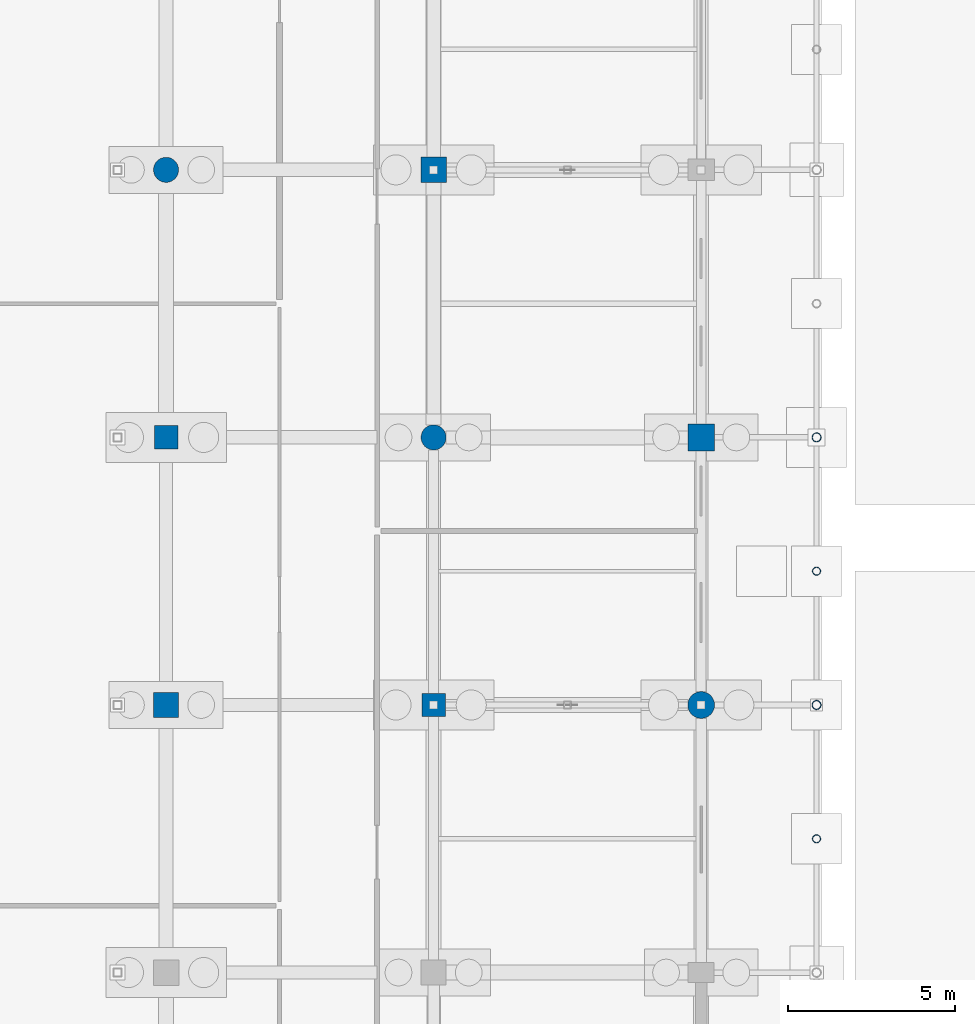
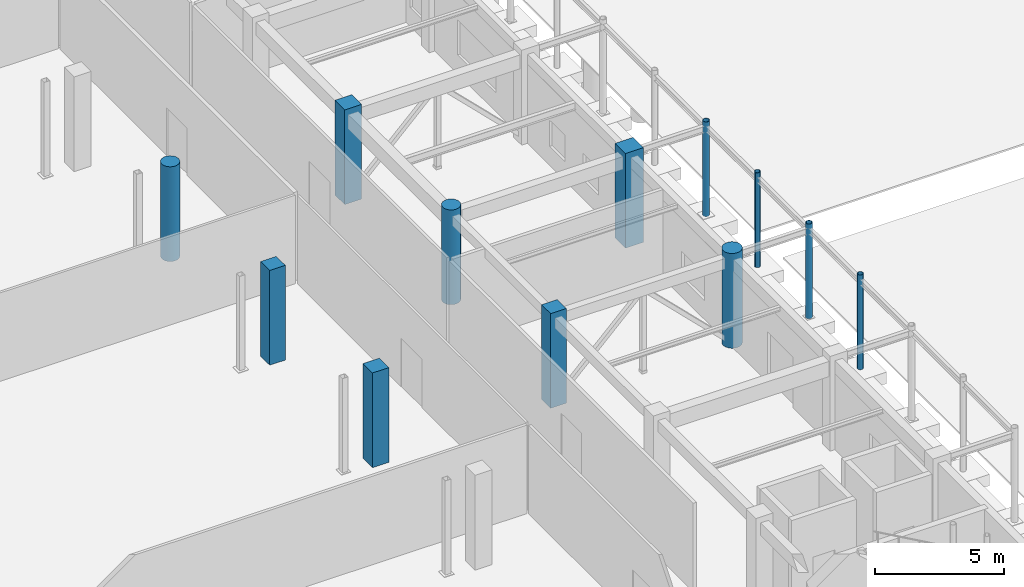
# One storey, part 29 of 166: 12 columns.
"""IFC4 building model written with IfcOpenShell, lengths in metres."""

from ifc_helpers import new_model, si_unit, direction, frame, origin, origin_2d, place, context, subcontext, project, spatial, rectangle, circle, hollow_circle, extrude, material, material_profile, profile_set, type_object, element, save


model = new_model("IFC4")

# Units and contexts
model_context = context("Model", 3, precision=1e-05, world=origin(), true_north=direction((0.0, 1.0)))
body_context = subcontext(model_context, "Body", "Model", "MODEL_VIEW")
ifc_project = project(units=[si_unit("LENGTHUNIT", "METRE"), si_unit("AREAUNIT", "SQUARE_METRE"), si_unit("VOLUMEUNIT", "CUBIC_METRE"), si_unit("PLANEANGLEUNIT", "RADIAN"), si_unit("MASSUNIT", "GRAM", prefix="KILO")], contexts=[model_context])

# Site, building, storey
site_placement = place(None, origin())
site = spatial("IfcSite", under=ifc_project, at=site_placement, CompositionType="ELEMENT")
building_placement = place(site_placement, origin())
building = spatial("IfcBuilding", under=site, at=building_placement, Name="Kharva Crest Polytechnic", CompositionType="ELEMENT")
storey_placement = place(building_placement, origin())
storey = spatial("IfcBuildingStorey", under=building, at=storey_placement, Name="L00", CompositionType="ELEMENT", Elevation=0.0)

# Columns
ifc_material_1 = material(Name="Concrete C40/50", Category="concrete")
ifc_material_profile_1 = material_profile(ifc_material_1, rectangle(XDim=0.800048828125, YDim=0.800048828125, at=origin_2d()), Name="RECT 800 X 800")
ifc_profile_set_1 = profile_set([ifc_material_profile_1], Name="Concrete C40/50")
column_type_1 = type_object("IfcColumnType", Name="COL-EXT-800X800", PredefinedType="COLUMN", material=ifc_profile_set_1)
column_1_placement = place(storey_placement, frame((48.0, 70.800048828125, 0.0), z_axis=(0.0, 0.0, 1.0), x_axis=(1.0, 0.0, 0.0)))
element("IfcColumn", 1, at=column_1_placement, inside=storey, type_object=column_type_1, Name="L00 Column 7/K", PredefinedType="COLUMN", context=body_context, shape_type="SweptSolid", body=[
    extrude(rectangle(XDim=0.800048828125, YDim=0.800048828125, at=origin_2d()), origin(), (0.0, 0.0, 1.0), 4.5),
])
ifc_material_profile_2 = material_profile(ifc_material_1, circle(Radius=0.39990234375, at=origin_2d()), Name="DIA 800")
ifc_profile_set_2 = profile_set([ifc_material_profile_2], Name="Concrete C40/50")
column_type_2 = type_object("IfcColumnType", Name="COL-EXT-DIA800", PredefinedType="COLUMN", material=ifc_profile_set_2)
column_2_placement = place(storey_placement, frame((48.0, 62.800048828125, 0.0), z_axis=(0.0, 0.0, 1.0), x_axis=(1.0, 0.0, 0.0)))
element("IfcColumn", 2, at=column_2_placement, inside=storey, type_object=column_type_2, Name="L00 Column 7/J", PredefinedType="COLUMN", context=body_context, shape_type="SweptSolid", body=[
    extrude(circle(Radius=0.39990234375, at=origin_2d()), origin(), (0.0, 0.0, 1.0), 4.5),
])
ifc_material_profile_3 = material_profile(ifc_material_1, rectangle(XDim=0.699951171875, YDim=0.699951171875, at=origin_2d()), Name="RECT 700 X 700")
ifc_profile_set_3 = profile_set([ifc_material_profile_3], Name="Concrete C40/50")
column_type_3 = type_object("IfcColumnType", Name="COL-INT-700X700", PredefinedType="COLUMN", material=ifc_profile_set_3)
for number, where, z_axis, x_axis, name in (
    (3, (32.0, 70.800048828125, 0.0), (0.0, 0.0, 1.0), (1.0, 0.0, 0.0), "L00 Column 5/K"),
    (4, (40.0, 62.800048828125, 0.0), (0.0, 0.0, 1.0), (1.0, 0.0, 0.0), "L00 Column 6/J"),
):
    element("IfcColumn", number, at=place(storey_placement, frame(where, z_axis=z_axis, x_axis=x_axis)), inside=storey, type_object=column_type_3, Name=name, PredefinedType="COLUMN", context=body_context, shape_type="SweptSolid", body=[
        extrude(rectangle(XDim=0.699951171875, YDim=0.699951171875, at=origin_2d()), origin(), (0.0, 0.0, 1.0), 4.5),
    ])
ifc_material_profile_4 = material_profile(ifc_material_1, rectangle(XDim=0.739990234375, YDim=0.739990234375, at=origin_2d()), Name="RECT 740 X 740")
ifc_profile_set_4 = profile_set([ifc_material_profile_4], Name="Concrete C40/50")
column_type_4 = type_object("IfcColumnType", Name="COL-INT-740X740", PredefinedType="COLUMN", material=ifc_profile_set_4)
column_3_placement = place(storey_placement, frame((32.0, 62.800048828125, 0.0), z_axis=(0.0, 0.0, 1.0), x_axis=(1.0, 0.0, 0.0)))
element("IfcColumn", 5, at=column_3_placement, inside=storey, type_object=column_type_4, Name="L00 Column 5/J", PredefinedType="COLUMN", context=body_context, shape_type="SweptSolid", body=[
    extrude(rectangle(XDim=0.739990234375, YDim=0.739990234375, at=origin_2d()), origin(), (0.0, 0.0, 1.0), 4.5),
])
ifc_material_profile_5 = material_profile(ifc_material_1, rectangle(XDim=0.760009765625, YDim=0.760009765625, at=origin_2d()), Name="RECT 760 X 760")
ifc_profile_set_5 = profile_set([ifc_material_profile_5], Name="Concrete C40/50")
column_type_5 = type_object("IfcColumnType", Name="COL-INT-760X760", PredefinedType="COLUMN", material=ifc_profile_set_5)
column_4_placement = place(storey_placement, frame((40.0, 78.800048828125, 0.0), z_axis=(0.0, 0.0, 1.0), x_axis=(1.0, 0.0, 0.0)))
element("IfcColumn", 6, at=column_4_placement, inside=storey, type_object=column_type_5, Name="L00 Column 6/L", PredefinedType="COLUMN", context=body_context, shape_type="SweptSolid", body=[
    extrude(rectangle(XDim=0.760009765625, YDim=0.760009765625, at=origin_2d()), origin(), (0.0, 0.0, 1.0), 4.5),
])
ifc_material_profile_6 = material_profile(ifc_material_1, circle(Radius=0.375, at=origin_2d()), Name="DIA 750")
ifc_profile_set_6 = profile_set([ifc_material_profile_6], Name="Concrete C40/50")
column_type_6 = type_object("IfcColumnType", Name="COL-INT-DIA750", PredefinedType="COLUMN", material=ifc_profile_set_6)
for number, where, z_axis, x_axis, name in (
    (7, (32.0, 78.800048828125, 0.0), (0.0, 0.0, 1.0), (1.0, 0.0, 0.0), "L00 Column 5/L"),
    (8, (40.0, 70.800048828125, 0.0), (0.0, 0.0, 1.0), (1.0, 0.0, 0.0), "L00 Column 6/K"),
):
    element("IfcColumn", number, at=place(storey_placement, frame(where, z_axis=z_axis, x_axis=x_axis)), inside=storey, type_object=column_type_6, Name=name, PredefinedType="COLUMN", context=body_context, shape_type="SweptSolid", body=[
        extrude(circle(Radius=0.375, at=origin_2d()), origin(), (0.0, 0.0, 1.0), 4.5),
    ])
ifc_material_2 = material(Name="Steel S355", Category="steel")
ifc_material_profile_7 = material_profile(ifc_material_2, hollow_circle(Radius=0.122314453125, WallThickness=0.010009765625, at=origin_2d()), Name="CHS 244.5X10.0")
ifc_profile_set_7 = profile_set([ifc_material_profile_7], Name="Steel S355")
column_type_7 = type_object("IfcColumnType", Name="COL-STL-CHS244", PredefinedType="COLUMN", material=ifc_profile_set_7)
for number, where, z_axis, x_axis, name in (
    (9, (51.449951171875, 58.800048828125, 0.0), (0.0, 0.0, 1.0), (1.0, 0.0, 0.0), "L00 Colonnade Mid Column VWM02"),
    (10, (51.449951171875, 66.800048828125, 0.0), (0.0, 0.0, 1.0), (1.0, 0.0, 0.0), "L00 Colonnade Mid Column VWM03"),
):
    element("IfcColumn", number, at=place(storey_placement, frame(where, z_axis=z_axis, x_axis=x_axis)), inside=storey, type_object=column_type_7, Name=name, PredefinedType="COLUMN", context=body_context, shape_type="SweptSolid", body=[
        extrude(hollow_circle(Radius=0.122314453125, WallThickness=0.010009765625, at=origin_2d()), origin(), (0.0, 0.0, 1.0), 4.5),
    ])
ifc_material_profile_8 = material_profile(ifc_material_2, hollow_circle(Radius=0.136474609375, WallThickness=0.012451171875, at=origin_2d()), Name="CHS 273.0X12.5")
ifc_profile_set_8 = profile_set([ifc_material_profile_8], Name="Steel S355")
column_type_8 = type_object("IfcColumnType", Name="COL-STL-CHS273", PredefinedType="COLUMN", material=ifc_profile_set_8)
for number, where, z_axis, x_axis, name in (
    (11, (51.449951171875, 62.800048828125, 0.0), (0.0, 0.0, 1.0), (1.0, 0.0, 0.0), "L00 Colonnade Column VW03"),
    (12, (51.449951171875, 70.800048828125, 0.0), (0.0, 0.0, 1.0), (1.0, 0.0, 0.0), "L00 Colonnade Column VW04"),
):
    element("IfcColumn", number, at=place(storey_placement, frame(where, z_axis=z_axis, x_axis=x_axis)), inside=storey, type_object=column_type_8, Name=name, PredefinedType="COLUMN", context=body_context, shape_type="SweptSolid", body=[
        extrude(hollow_circle(Radius=0.136474609375, WallThickness=0.012451171875, at=origin_2d()), origin(), (0.0, 0.0, 1.0), 4.5),
    ])

save(model, "model.ifc")
